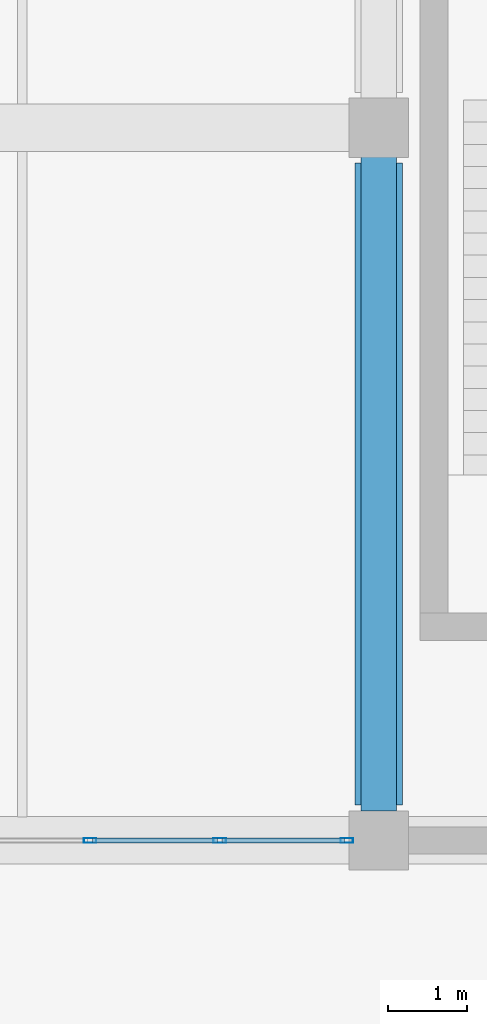
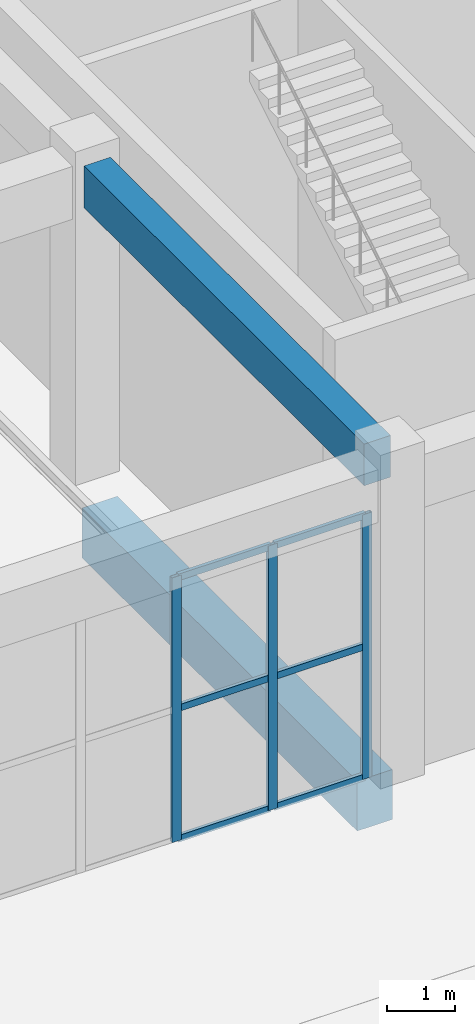
# One storey, part 32 of 91: 9 members, 2 beams, 1 element without a shape of its own.
"""IFC4 building model written with IfcOpenShell, lengths in metres."""

from ifc_helpers import new_model, si_unit, direction, frame, origin, origin_2d, place, context, subcontext, project, spatial, rectangle, hollow_rectangle, extrude, material, layer, layer_set, material_profile, profile_set, type_object, element, aggregate, save


model = new_model("IFC4")

# Units and contexts
model_context = context("Model", 3, precision=1e-05, world=origin(), true_north=direction((0.0, 1.0)))
body_context = subcontext(model_context, "Body", "Model", "MODEL_VIEW")
ifc_project = project(units=[si_unit("LENGTHUNIT", "METRE"), si_unit("AREAUNIT", "SQUARE_METRE"), si_unit("VOLUMEUNIT", "CUBIC_METRE"), si_unit("PLANEANGLEUNIT", "RADIAN"), si_unit("MASSUNIT", "GRAM", prefix="KILO")], contexts=[model_context])

# Site, building, storey
site_placement = place(None, origin())
site = spatial("IfcSite", under=ifc_project, at=site_placement, CompositionType="ELEMENT")
building_placement = place(site_placement, origin())
building = spatial("IfcBuilding", under=site, at=building_placement, Name="Dornveld Trade and Exhibition Forum", CompositionType="ELEMENT")
storey_placement = place(building_placement, origin())
storey = spatial("IfcBuildingStorey", under=building, at=storey_placement, Name="L00", CompositionType="ELEMENT", Elevation=0.0)

# Beams
ifc_material_1 = material(Name="Concrete C40/50", Category="concrete")
ifc_material_profile_1 = material_profile(ifc_material_1, rectangle(XDim=0.60009765625, YDim=0.89990234375, at=origin_2d()), Name="RC-GB 600x900")
ifc_profile_set_1 = profile_set([ifc_material_profile_1], Name="Concrete C40/50")
beam_type_1 = type_object("IfcBeamType", Name="BM-GB-600x900", PredefinedType="BEAM", material=ifc_profile_set_1)
beam_1_placement = place(storey_placement, frame((180.0, 108.446044921875, -0.830078125), z_axis=(0.0, 1.0, 0.0), x_axis=(-1.0, 0.0, 0.0)))
element("IfcBeam", 1, at=beam_1_placement, inside=storey, type_object=beam_type_1, Name="L00 Y-girder 547", PredefinedType="BEAM", context=body_context, shape_type="SweptSolid", body=[
    extrude(rectangle(XDim=0.60009765625, YDim=0.89990234375, at=origin_2d()), origin(), (0.0, 0.0, 1.0), 8.10791015625),
])
ifc_material_2 = material(Name="Precast concrete C50/60", Category="concrete")
ifc_material_profile_2 = material_profile(ifc_material_2, rectangle(XDim=0.449951171875, YDim=0.75, at=origin_2d()), Name="PC-BM 450x750")
ifc_profile_set_2 = profile_set([ifc_material_profile_2], Name="Precast concrete C50/60")
beam_type_2 = type_object("IfcBeamType", Name="BM-PC-450x750", PredefinedType="BEAM", material=ifc_profile_set_2)
beam_2_placement = place(storey_placement, frame((180.0, 108.37109375, 5.324951171875), z_axis=(0.0, 1.0, 0.0), x_axis=(-1.0, 0.0, 0.0)))
element("IfcBeam", 2, at=beam_2_placement, inside=storey, type_object=beam_type_2, Name="L00 Y-girder 983", PredefinedType="BEAM", context=body_context, shape_type="SweptSolid", body=[
    extrude(rectangle(XDim=0.449951171875, YDim=0.75, at=origin_2d()), origin(), (0.0, 0.0, 1.0), 8.2578125),
])

# Curtain wall, members
ifc_material_3 = material(Name="Dark-bronze anodised aluminium and low-E glass", Category="aluminium")
ifc_layer = layer(ifc_material_3, 0.159912109375)
ifc_layer_set = layer_set([ifc_layer], Name="Dark-bronze anodised aluminium and low-E glass")
curtain_wall_type = type_object("IfcCurtainWallType", Name="CW-SYS-06", PredefinedType="USERDEFINED", material=ifc_layer_set)
curtain_wall_placement = place(storey_placement, origin())
curtain_wall = element("IfcCurtainWall", 3, at=curtain_wall_placement, inside=storey, type_object=curtain_wall_type, Name="L00 unitised curtain wall 96", ObjectType="UNITISED_CURTAIN_WALL", PredefinedType="USERDEFINED")
ifc_material_4 = material(Name="Dark-bronze anodised aluminium", Category="aluminium")
ifc_material_profile_3 = material_profile(ifc_material_4, hollow_rectangle(XDim=0.06005859375, YDim=0.159912109375, WallThickness=0.00390625, at=origin_2d()), Name="RHS 160x60x4")
ifc_profile_set_3 = profile_set([ifc_material_profile_3], Name="Dark-bronze anodised aluminium")
member_type_1 = type_object("IfcMemberType", Name="CW-MUL-160", PredefinedType="MULLION", material=ifc_profile_set_3)
member_1_placement = place(storey_placement, frame((176.355712890625, 108.0, -0.00390625), z_axis=(0.0, 0.0, 1.0), x_axis=(0.0, 1.0, 0.0)))
member_1 = element("IfcMember", 4, at=member_1_placement, type_object=member_type_1, Name="CW-06 mullion 4", PredefinedType="MULLION", context=body_context, shape_type="SweptSolid", body=[
    extrude(hollow_rectangle(XDim=0.06005859375, YDim=0.159912109375, WallThickness=0.00390625, at=origin_2d()), origin(), (0.0, 0.0, 1.0), 4.763916015625),
])
member_2_placement = place(storey_placement, frame((177.992431640625, 108.0, -0.00390625), z_axis=(0.0, 0.0, 1.0), x_axis=(0.0, 1.0, 0.0)))
member_2 = element("IfcMember", 5, at=member_2_placement, type_object=member_type_1, Name="CW-06 mullion 5", PredefinedType="MULLION", context=body_context, shape_type="SweptSolid", body=[
    extrude(hollow_rectangle(XDim=0.06005859375, YDim=0.159912109375, WallThickness=0.00390625, at=origin_2d()), origin(), (0.0, 0.0, 1.0), 4.763916015625),
])
member_3_placement = place(storey_placement, frame((179.59912109375, 108.0, -0.00390625), z_axis=(0.0, 0.0, 1.0), x_axis=(0.0, 1.0, 0.0)))
member_3 = element("IfcMember", 6, at=member_3_placement, type_object=member_type_1, Name="CW-06 mullion 6", PredefinedType="MULLION", context=body_context, shape_type="SweptSolid", body=[
    extrude(hollow_rectangle(XDim=0.06005859375, YDim=0.159912109375, WallThickness=0.00390625, at=origin_2d()), origin(), (0.0, 0.0, 1.0), 4.763916015625),
])
ifc_material_5 = material(Name="Dark-bronze anodised aluminium", Category="aluminium")
ifc_material_profile_4 = material_profile(ifc_material_5, hollow_rectangle(XDim=0.06005859375, YDim=0.1201171875, WallThickness=0.00390625, at=origin_2d()), Name="RHS 120x60x4")
ifc_profile_set_4 = profile_set([ifc_material_profile_4], Name="Dark-bronze anodised aluminium")
member_type_2 = type_object("IfcMemberType", Name="CW-TRN-120", PredefinedType="USERDEFINED", material=ifc_profile_set_4)
member_4_placement = place(storey_placement, frame((176.3857421875, 108.0, 0.02587890625), z_axis=(1.0, 0.0, 0.0), x_axis=(0.0, 1.0, 0.0)))
member_4 = element("IfcMember", 7, at=member_4_placement, type_object=member_type_2, Name="CW-06 transom 4.1", ObjectType="TRANSOM", PredefinedType="USERDEFINED", context=body_context, shape_type="SweptSolid", body=[
    extrude(hollow_rectangle(XDim=0.06005859375, YDim=0.1201171875, WallThickness=0.00390625, at=origin_2d()), origin(), (0.0, 0.0, 1.0), 1.57666015625),
])
member_5_placement = place(storey_placement, frame((176.3857421875, 108.0, 2.3779296875), z_axis=(1.0, 0.0, 0.0), x_axis=(0.0, 1.0, 0.0)))
member_5 = element("IfcMember", 8, at=member_5_placement, type_object=member_type_2, Name="CW-06 transom 4.2", ObjectType="TRANSOM", PredefinedType="USERDEFINED", context=body_context, shape_type="SweptSolid", body=[
    extrude(hollow_rectangle(XDim=0.06005859375, YDim=0.1201171875, WallThickness=0.00390625, at=origin_2d()), origin(), (0.0, 0.0, 1.0), 1.57666015625),
])
member_6_placement = place(storey_placement, frame((176.3857421875, 108.0, 4.72998046875), z_axis=(1.0, 0.0, 0.0), x_axis=(0.0, 1.0, 0.0)))
member_6 = element("IfcMember", 9, at=member_6_placement, type_object=member_type_2, Name="CW-06 transom 4.3", ObjectType="TRANSOM", PredefinedType="USERDEFINED", context=body_context, shape_type="SweptSolid", body=[
    extrude(hollow_rectangle(XDim=0.06005859375, YDim=0.1201171875, WallThickness=0.00390625, at=origin_2d()), origin(), (0.0, 0.0, 1.0), 1.57666015625),
])
member_7_placement = place(storey_placement, frame((178.0224609375, 108.0, 0.02587890625), z_axis=(1.0, 0.0, 0.0), x_axis=(0.0, 1.0, 0.0)))
member_7 = element("IfcMember", 10, at=member_7_placement, type_object=member_type_2, Name="CW-06 transom 5.1", ObjectType="TRANSOM", PredefinedType="USERDEFINED", context=body_context, shape_type="SweptSolid", body=[
    extrude(hollow_rectangle(XDim=0.06005859375, YDim=0.1201171875, WallThickness=0.00390625, at=origin_2d()), origin(), (0.0, 0.0, 1.0), 1.546630859375),
])
member_8_placement = place(storey_placement, frame((178.0224609375, 108.0, 2.3779296875), z_axis=(1.0, 0.0, 0.0), x_axis=(0.0, 1.0, 0.0)))
member_8 = element("IfcMember", 11, at=member_8_placement, type_object=member_type_2, Name="CW-06 transom 5.2", ObjectType="TRANSOM", PredefinedType="USERDEFINED", context=body_context, shape_type="SweptSolid", body=[
    extrude(hollow_rectangle(XDim=0.06005859375, YDim=0.1201171875, WallThickness=0.00390625, at=origin_2d()), origin(), (0.0, 0.0, 1.0), 1.546630859375),
])
member_9_placement = place(storey_placement, frame((178.0224609375, 108.0, 4.72998046875), z_axis=(1.0, 0.0, 0.0), x_axis=(0.0, 1.0, 0.0)))
member_9 = element("IfcMember", 12, at=member_9_placement, type_object=member_type_2, Name="CW-06 transom 5.3", ObjectType="TRANSOM", PredefinedType="USERDEFINED", context=body_context, shape_type="SweptSolid", body=[
    extrude(hollow_rectangle(XDim=0.06005859375, YDim=0.1201171875, WallThickness=0.00390625, at=origin_2d()), origin(), (0.0, 0.0, 1.0), 1.546630859375),
])
aggregate(curtain_wall, [member_1, member_2, member_3, member_4, member_5, member_6, member_7, member_8, member_9])

save(model, "model.ifc")
